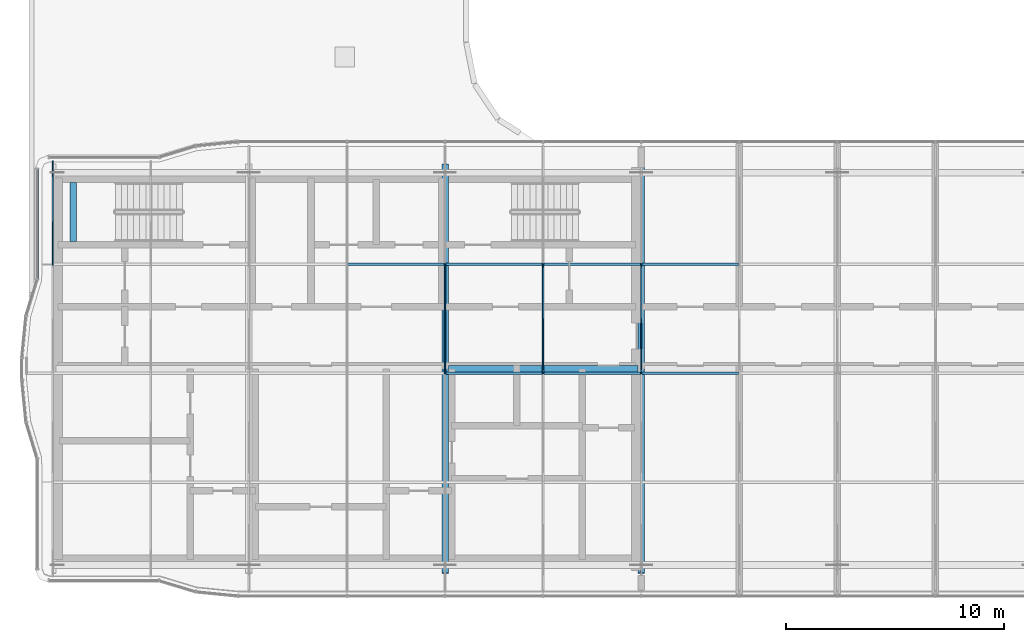
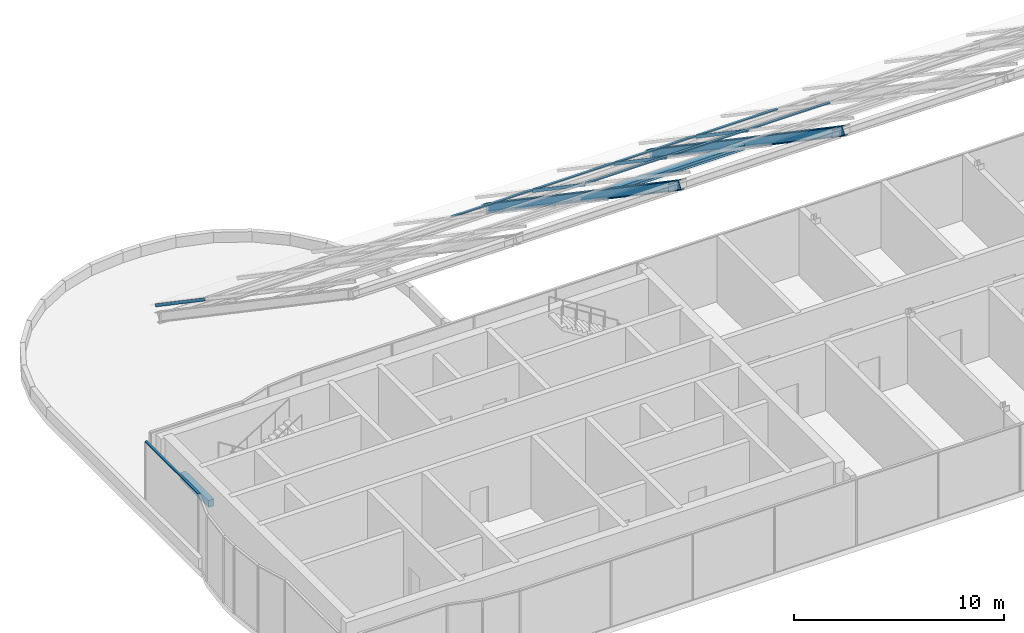
# One storey, part 6 of 25: 15 members, 1 beam, 4 elements without a shape of their own.
"""IFC4 building model written with IfcOpenShell, lengths in metres."""

from ifc_helpers import new_model, si_unit, direction, frame, origin, origin_2d, place, context, subcontext, project, spatial, rectangle, i_section, extrude, material, material_profile, profile_set, type_object, element, aggregate, save


model = new_model("IFC4")

# Units and contexts
model_context = context("Model", 3, precision=1e-05, world=origin(), true_north=direction((0.0, 1.0)))
body_context = subcontext(model_context, "Body", "Model", "MODEL_VIEW")
ifc_project = project(units=[si_unit("LENGTHUNIT", "METRE"), si_unit("AREAUNIT", "SQUARE_METRE"), si_unit("VOLUMEUNIT", "CUBIC_METRE"), si_unit("PLANEANGLEUNIT", "RADIAN"), si_unit("MASSUNIT", "GRAM", prefix="KILO")], contexts=[model_context])

# Site, building, storey
site_placement = place(None, origin())
site = spatial("IfcSite", under=ifc_project, at=site_placement, CompositionType="ELEMENT")
building_placement = place(site_placement, origin())
building = spatial("IfcBuilding", under=site, at=building_placement, Name="Ogive Portal Towers", CompositionType="ELEMENT")
storey_placement = place(building_placement, frame((0.0, 0.0, 272.89990234375)))
storey = spatial("IfcBuildingStorey", under=building, at=storey_placement, Name="L66", CompositionType="ELEMENT", Elevation=272.89990234375)

# Beam
ifc_material_1 = material(Name="Concrete C40/50", Category="concrete")
ifc_material_profile_1 = material_profile(ifc_material_1, rectangle(XDim=0.300048828125, YDim=0.39990234375, at=origin_2d()), Name="RC 300x400")
ifc_profile_set_1 = profile_set([ifc_material_profile_1], Name="Concrete C40/50")
beam_type = type_object("IfcBeamType", Name="BEAM RC 300x400", PredefinedType="BEAM", material=ifc_profile_set_1)
beam_placement = place(storey_placement, frame((32.449951171875, 36.35009765625, 1.7001953125), z_axis=(0.0, 1.0, 0.0), x_axis=(-1.0, 0.0, 0.0)))
element("IfcBeam", 1, at=beam_placement, inside=storey, type_object=beam_type, Name="Landing beam L66", PredefinedType="BEAM", context=body_context, shape_type="SweptSolid", body=[
    extrude(rectangle(XDim=0.300048828125, YDim=0.39990234375, at=origin_2d()), origin(), (0.0, 0.0, 1.0), 2.699951171875),
])

# Members
ifc_material_2 = material(Name="Steel S355", Category="steel")
ifc_material_profile_2 = material_profile(ifc_material_2, i_section(OverallWidth=0.300048828125, OverallDepth=0.300048828125, WebThickness=0.010986328125, FlangeThickness=0.01904296875, FilletRadius=0.027099609375, at=origin_2d()), Name="HEB 300")
ifc_profile_set_2 = profile_set([ifc_material_profile_2], Name="Steel S355")
member_type_1 = type_object("IfcMemberType", Name="CROWN PURLIN HEB 300", PredefinedType="PURLIN", material=ifc_profile_set_2)
member_1_placement = place(storey_placement, frame((49.64990234375, 30.5, 16.960205078125), z_axis=(1.0, 0.0, 0.0), x_axis=(0.0, 1.0, 0.0)))
element("IfcMember", 2, at=member_1_placement, inside=storey, type_object=member_type_1, Name="Crown purlin", PredefinedType="PURLIN", context=body_context, shape_type="SweptSolid", body=[
    extrude(i_section(OverallWidth=0.300048828125, OverallDepth=0.300048828125, WebThickness=0.010986328125, FlangeThickness=0.01904296875, FilletRadius=0.027099609375, at=origin_2d()), origin(), (0.0, 0.0, 1.0), 8.7001953125),
])
ifc_material_profile_3 = material_profile(ifc_material_2, i_section(OverallWidth=0.300048828125, OverallDepth=0.5, WebThickness=0.014404296875, FlangeThickness=0.028076171875, FilletRadius=0.027099609375, at=origin_2d()), Name="HEB 500")
ifc_profile_set_3 = profile_set([ifc_material_profile_3], Name="Steel S355")
member_type_2 = type_object("IfcMemberType", Name="CROWN RAFTER HEB 500", PredefinedType="RAFTER", material=ifc_profile_set_3)
for number, where, z_axis, x_axis, name in (
    (3, (49.5, 21.25, 23.397705078125), (0.0, 0.826929952607, -0.562304947054), (-1.0, 0.0, 0.0), "Crown rafter"),
    (4, (58.5, 21.25, 23.397705078125), (0.0, 0.826929952607, -0.562304947054), (-1.0, 0.0, 0.0), "Crown rafter"),
):
    element("IfcMember", number, at=place(storey_placement, frame(where, z_axis=z_axis, x_axis=x_axis)), inside=storey, type_object=member_type_2, Name=name, PredefinedType="RAFTER", context=body_context, shape_type="SweptSolid", body=[
        extrude(i_section(OverallWidth=0.300048828125, OverallDepth=0.5, WebThickness=0.014404296875, FlangeThickness=0.028076171875, FilletRadius=0.027099609375, at=origin_2d()), origin(), (0.0, 0.0, 1.0), 22.371826171875),
    ])

# Curtain wall, member
ifc_material_3 = material(Name="Glass, clear low-iron insulated glazing", Category="glass")
curtain_wall_type = type_object("IfcCurtainWallType", Name="CW CROWN GLAZING", PredefinedType="NOTDEFINED", material=ifc_material_3)
curtain_wall_1_placement = place(storey_placement, origin())
curtain_wall_1 = element("IfcCurtainWall", 5, at=curtain_wall_1_placement, inside=storey, type_object=curtain_wall_type, Name="Crown roof glazing 1", PredefinedType="NOTDEFINED")
ifc_material_4 = material(Name="Aluminium 6063 anodised", Category="aluminium")
ifc_material_profile_4 = material_profile(ifc_material_4, rectangle(XDim=0.06005859375, YDim=0.159912109375, at=origin_2d()), Name="AL 60x160 rafter")
ifc_profile_set_4 = profile_set([ifc_material_profile_4], Name="Aluminium 6063 anodised")
member_type_3 = type_object("IfcMemberType", Name="CW ROOF RAFTER 60x160", PredefinedType="MULLION", material=ifc_profile_set_4)
member_2_placement = place(storey_placement, frame((31.5, 35.300048828125, 14.53173828125), z_axis=(0.0, 0.826920110513, -0.56231942064), x_axis=(-1.0, 0.0, 0.0)))
member_2 = element("IfcMember", 6, at=member_2_placement, type_object=member_type_3, Name="roof rafter", PredefinedType="MULLION", context=body_context, shape_type="SweptSolid", body=[
    extrude(rectangle(XDim=0.06005859375, YDim=0.159912109375, at=origin_2d()), origin(), (0.0, 0.0, 1.0), 5.68359375),
])
aggregate(curtain_wall_1, [member_2])

# Curtain wall, members
curtain_wall_2_placement = place(storey_placement, origin())
curtain_wall_2 = element("IfcCurtainWall", 7, at=curtain_wall_2_placement, inside=storey, type_object=curtain_wall_type, Name="Crown roof glazing 2", PredefinedType="NOTDEFINED")
member_3_placement = place(storey_placement, frame((49.5, 30.300048828125, 17.931640625), z_axis=(0.0, 0.82693401206, -0.562298977146), x_axis=(-1.0, 0.0, 0.0)))
member_3 = element("IfcMember", 8, at=member_3_placement, type_object=member_type_3, Name="roof rafter", PredefinedType="MULLION", context=body_context, shape_type="SweptSolid", body=[
    extrude(rectangle(XDim=0.06005859375, YDim=0.159912109375, at=origin_2d()), origin(), (0.0, 0.0, 1.0), 6.04638671875),
])
member_4_placement = place(storey_placement, frame((54.0, 30.300048828125, 17.931640625), z_axis=(0.0, 0.82693401206, -0.562298977146), x_axis=(-1.0, 0.0, 0.0)))
member_4 = element("IfcMember", 9, at=member_4_placement, type_object=member_type_3, Name="roof rafter", PredefinedType="MULLION", context=body_context, shape_type="SweptSolid", body=[
    extrude(rectangle(XDim=0.06005859375, YDim=0.159912109375, at=origin_2d()), origin(), (0.0, 0.0, 1.0), 6.04638671875),
])

# Curtain wall, member
curtain_wall_3_placement = place(storey_placement, origin())
curtain_wall_3 = element("IfcCurtainWall", 10, at=curtain_wall_3_placement, inside=storey, type_object=curtain_wall_type, Name="Crown roof glazing 3", PredefinedType="NOTDEFINED")
member_5_placement = place(storey_placement, frame((58.5, 30.300048828125, 17.931640625), z_axis=(0.0, 0.82693401206, -0.562298977146), x_axis=(-1.0, 0.0, 0.0)))
member_5 = element("IfcMember", 11, at=member_5_placement, type_object=member_type_3, Name="roof rafter", PredefinedType="MULLION", context=body_context, shape_type="SweptSolid", body=[
    extrude(rectangle(XDim=0.06005859375, YDim=0.159912109375, at=origin_2d()), origin(), (0.0, 0.0, 1.0), 6.04638671875),
])

curtain_wall_4_placement = place(storey_placement, origin())
curtain_wall_4 = element("IfcCurtainWall", 12, at=curtain_wall_4_placement, inside=storey, type_object=curtain_wall_type, Name="A:L66:c18:cw", PredefinedType="NOTDEFINED")
ifc_material_profile_5 = material_profile(ifc_material_4, rectangle(XDim=0.1201171875, YDim=0.06005859375, at=origin_2d()), Name="AL 120x60")
ifc_profile_set_5 = profile_set([ifc_material_profile_5], Name="Aluminium 6063 anodised")
member_type_4 = type_object("IfcMemberType", Name="CW TRANSOM 60x120", PredefinedType="USERDEFINED", material=ifc_profile_set_5)
member_6_placement = place(storey_placement, frame((30.780029296875, 39.68408203125, 3.8701171875), z_axis=(0.0, -1.0, 0.0), x_axis=(1.0, 0.0, 0.0)))
member_6 = element("IfcMember", 13, at=member_6_placement, type_object=member_type_4, Name="transom", ObjectType="TRANSOM", PredefinedType="USERDEFINED", context=body_context, shape_type="SweptSolid", body=[
    extrude(rectangle(XDim=0.1201171875, YDim=0.06005859375, at=origin_2d()), origin(), (0.0, 0.0, 1.0), 5.07080078125),
])
aggregate(curtain_wall_4, [member_6])

# Member
member_7_placement = place(storey_placement, frame((49.530029296875, 30.300048828125, 17.9921875), z_axis=(1.0, 0.0, 0.0), x_axis=(0.0, 1.0, 0.0)))
member_7 = element("IfcMember", 14, at=member_7_placement, type_object=member_type_4, Name="roof transom", ObjectType="TRANSOM", PredefinedType="USERDEFINED", context=body_context, shape_type="SweptSolid", body=[
    extrude(rectangle(XDim=0.1201171875, YDim=0.06005859375, at=origin_2d()), origin(), (0.0, 0.0, 1.0), 4.43994140625),
])

member_8_placement = place(storey_placement, frame((45.030029296875, 35.300048828125, 14.592041015625), z_axis=(1.0, 0.0, 0.0), x_axis=(0.0, 1.0, 0.0)))
member_8 = element("IfcMember", 15, at=member_8_placement, type_object=member_type_4, Name="roof transom", ObjectType="TRANSOM", PredefinedType="USERDEFINED", context=body_context, shape_type="SweptSolid", body=[
    extrude(rectangle(XDim=0.1201171875, YDim=0.06005859375, at=origin_2d()), origin(), (0.0, 0.0, 1.0), 4.43994140625),
])

member_9_placement = place(storey_placement, frame((49.530029296875, 35.300048828125, 14.592041015625), z_axis=(1.0, 0.0, 0.0), x_axis=(0.0, 1.0, 0.0)))
member_9 = element("IfcMember", 16, at=member_9_placement, type_object=member_type_4, Name="roof transom", ObjectType="TRANSOM", PredefinedType="USERDEFINED", context=body_context, shape_type="SweptSolid", body=[
    extrude(rectangle(XDim=0.1201171875, YDim=0.06005859375, at=origin_2d()), origin(), (0.0, 0.0, 1.0), 4.43994140625),
])

aggregate(curtain_wall_2, [member_3, member_4, member_7, member_8, member_9])

member_10_placement = place(storey_placement, frame((54.030029296875, 30.300048828125, 17.9921875), z_axis=(1.0, 0.0, 0.0), x_axis=(0.0, 1.0, 0.0)))
member_10 = element("IfcMember", 17, at=member_10_placement, type_object=member_type_4, Name="roof transom", ObjectType="TRANSOM", PredefinedType="USERDEFINED", context=body_context, shape_type="SweptSolid", body=[
    extrude(rectangle(XDim=0.1201171875, YDim=0.06005859375, at=origin_2d()), origin(), (0.0, 0.0, 1.0), 4.43994140625),
])

member_11_placement = place(storey_placement, frame((58.530029296875, 30.300048828125, 17.9921875), z_axis=(1.0, 0.0, 0.0), x_axis=(0.0, 1.0, 0.0)))
member_11 = element("IfcMember", 18, at=member_11_placement, type_object=member_type_4, Name="roof transom", ObjectType="TRANSOM", PredefinedType="USERDEFINED", context=body_context, shape_type="SweptSolid", body=[
    extrude(rectangle(XDim=0.1201171875, YDim=0.06005859375, at=origin_2d()), origin(), (0.0, 0.0, 1.0), 4.43994140625),
])

member_12_placement = place(storey_placement, frame((54.030029296875, 35.300048828125, 14.592041015625), z_axis=(1.0, 0.0, 0.0), x_axis=(0.0, 1.0, 0.0)))
member_12 = element("IfcMember", 19, at=member_12_placement, type_object=member_type_4, Name="roof transom", ObjectType="TRANSOM", PredefinedType="USERDEFINED", context=body_context, shape_type="SweptSolid", body=[
    extrude(rectangle(XDim=0.1201171875, YDim=0.06005859375, at=origin_2d()), origin(), (0.0, 0.0, 1.0), 4.43994140625),
])

member_13_placement = place(storey_placement, frame((58.530029296875, 35.300048828125, 14.592041015625), z_axis=(1.0, 0.0, 0.0), x_axis=(0.0, 1.0, 0.0)))
member_13 = element("IfcMember", 20, at=member_13_placement, type_object=member_type_4, Name="roof transom", ObjectType="TRANSOM", PredefinedType="USERDEFINED", context=body_context, shape_type="SweptSolid", body=[
    extrude(rectangle(XDim=0.1201171875, YDim=0.06005859375, at=origin_2d()), origin(), (0.0, 0.0, 1.0), 4.43994140625),
])

aggregate(curtain_wall_3, [member_5, member_10, member_11, member_12, member_13])

save(model, "model.ifc")
